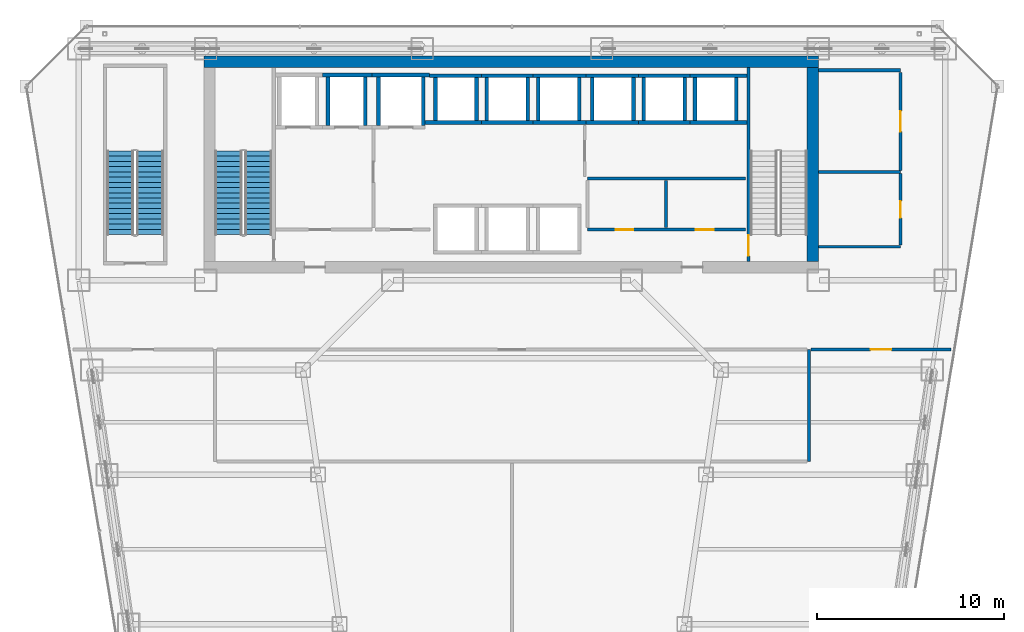
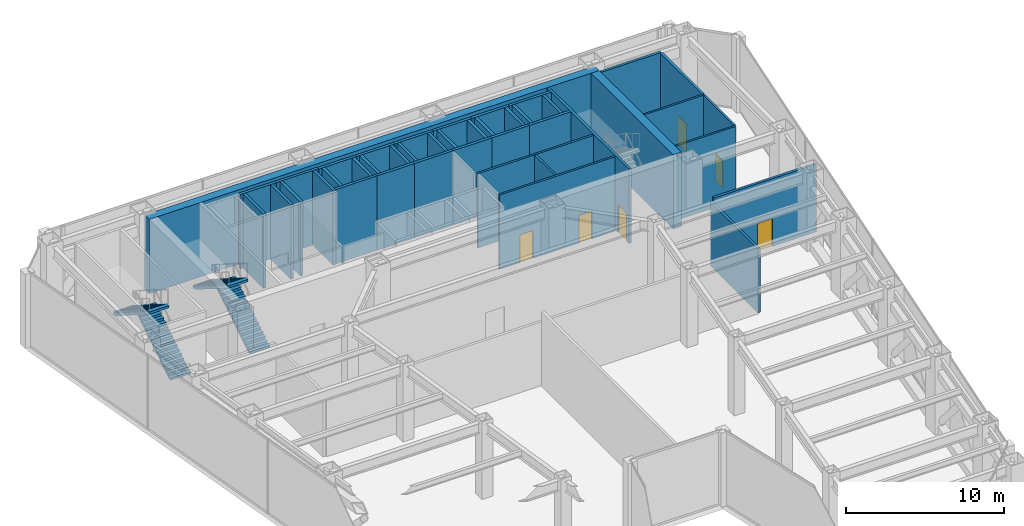
# One storey, part 31 of 35: 43 walls, 6 doors, 4 stair flights, 6 openings, 2 elements without a shape of their own.
"""IFC4 building model written with IfcOpenShell, lengths in metres."""

from ifc_helpers import new_model, si_unit, direction, frame, frame_2d, origin, place, context, subcontext, project, spatial, polyline, rectangle, outline, extrude, material, layer, layer_set, type_object, element, fill, aggregate, save


model = new_model("IFC4")

# Units and contexts
model_context = context("Model", 3, precision=1e-05, world=origin(), true_north=direction((0.0, 1.0)))
body_context = subcontext(model_context, "Body", "Model", "MODEL_VIEW")
ifc_project = project(units=[si_unit("LENGTHUNIT", "METRE"), si_unit("AREAUNIT", "SQUARE_METRE"), si_unit("VOLUMEUNIT", "CUBIC_METRE"), si_unit("PLANEANGLEUNIT", "RADIAN"), si_unit("MASSUNIT", "GRAM", prefix="KILO")], contexts=[model_context])

# Site, building, storey
site_placement = place(None, origin())
site = spatial("IfcSite", under=ifc_project, at=site_placement, CompositionType="ELEMENT")
building_placement = place(site_placement, origin())
building = spatial("IfcBuilding", under=site, at=building_placement, Name="Saevonmaru Cultural Tower", CompositionType="ELEMENT")
storey_placement = place(building_placement, frame((0.0, 0.0, 86.800048828125)))
storey = spatial("IfcBuildingStorey", under=building, at=storey_placement, Name="L18", CompositionType="ELEMENT", Elevation=86.800048828125)

# Walls
ifc_material_1 = material(Name="Concrete C60/75", Category="concrete")
ifc_layer_1 = layer(ifc_material_1, 0.60009765625, Name="Concrete C60/75")
ifc_layer_set_1 = layer_set([ifc_layer_1], Name="Concrete C60/75")
wall_type_1 = type_object("IfcWallType", Name="WL-CORE-600", PredefinedType="SHEAR", material=ifc_layer_set_1)
wall_1_placement = place(storey_placement, frame((13.5, 54.10009765625, 0.0), z_axis=(0.0, 0.0, 1.0), x_axis=(1.0, 0.0, 0.0)))
element("IfcWall", 1, at=wall_1_placement, inside=storey, type_object=wall_type_1, Name="L18 Tower RC core shear wall N", PredefinedType="SHEAR", context=body_context, shape_type="SweptSolid", body=[
    extrude(rectangle(XDim=32.89990234375, YDim=0.60009765625, at=frame_2d((16.449951171875, 0.0))), origin(), (0.0, 0.0, 1.0), 5.75),
])
wall_2_placement = place(storey_placement, frame((46.10009765625, 43.39990234375, 0.0), z_axis=(0.0, 0.0, 1.0), x_axis=(0.0, 1.0, 0.0)))
element("IfcWall", 2, at=wall_2_placement, inside=storey, type_object=wall_type_1, Name="L18 Tower RC core shear wall E", PredefinedType="SHEAR", context=body_context, shape_type="SweptSolid", body=[
    extrude(rectangle(XDim=10.400146484375, YDim=0.60009765625, at=frame_2d((5.2001953125, 0.0))), origin(), (0.0, 0.0, 1.0), 5.75),
])

# Wall, openings, doors
ifc_material_2 = material(Name="Gypsum Fireboard Partition", Category="gypsum")
ifc_layer_2 = layer(ifc_material_2, 0.14990234375, Name="Gypsum Fireboard Partition")
ifc_layer_set_2 = layer_set([ifc_layer_2], Name="Gypsum Fireboard Partition")
wall_type_2 = type_object("IfcWallType", Name="WL-CORE-PART-150", PredefinedType="PARTITIONING", material=ifc_layer_set_2)
wall_3_placement = place(storey_placement, frame((34.050048828125, 45.1201171875, 0.0), z_axis=(0.0, 0.0, 1.0), x_axis=(1.0, 0.0, 0.0)))
wall_3 = element("IfcWall", 3, at=wall_3_placement, inside=storey, type_object=wall_type_2, Name="L18 Core Plant South Wall", PredefinedType="PARTITIONING", context=body_context, shape_type="SweptSolid", body=[
    extrude(rectangle(XDim=8.449951171875, YDim=0.14990234375, at=frame_2d((4.22509765625, 0.0))), origin(), (0.0, 0.0, 1.0), 5.75),
])
opening_1_placement = place(wall_3_placement, frame((1.5, 0.0, 0.0)))
opening_1 = element("IfcOpeningElement", 4, at=opening_1_placement, cuts=wall_3, Name="Opening FD-4", PredefinedType="OPENING", context=body_context, shape_type="SweptSolid", body=[
    extrude(rectangle(XDim=0.949951171875, YDim=2.14990234375, at=frame_2d((0.47509765625, 1.074951171875))), frame((0.0, 0.0849609375, 0.0), z_axis=(0.0, -1.0, 0.0), x_axis=(1.0, 0.0, 0.0)), (0.0, 0.0, 1.0), 0.169921875),
])
opening_2_placement = place(wall_3_placement, frame((5.800048828125, 0.0, 0.0)))
opening_2 = element("IfcOpeningElement", 5, at=opening_2_placement, cuts=wall_3, Name="Opening FD-4", PredefinedType="OPENING", context=body_context, shape_type="SweptSolid", body=[
    extrude(rectangle(XDim=0.949951171875, YDim=2.14990234375, at=frame_2d((0.47509765625, 1.074951171875))), frame((0.0, 0.0849609375, 0.0), z_axis=(0.0, -1.0, 0.0), x_axis=(1.0, 0.0, 0.0)), (0.0, 0.0, 1.0), 0.169921875),
])
ifc_material_3 = material(Name="Satin Bronze Anodised Aluminium", Category="aluminium")
door_type_1 = type_object("IfcDoorType", Name="DR-FD60-950", OperationType="SINGLE_SWING_LEFT", PredefinedType="DOOR", material=ifc_material_3)
door_1_placement = place(opening_1_placement, origin())
door_1 = element("IfcDoor", 6, at=door_1_placement, inside=storey, type_object=door_type_1, Name="L18 Floor AHU Plant Door", OperationType="SINGLE_SWING_LEFT", OverallHeight=2.14990234375, OverallWidth=0.949951171875, PredefinedType="DOOR", context=body_context, shape_type="SweptSolid", body=[
    extrude(rectangle(XDim=0.949951171875, YDim=2.14990234375, at=frame_2d((0.47509765625, 1.074951171875))), frame((0.0, 0.02490234375, 0.0), z_axis=(0.0, -1.0, 0.0), x_axis=(1.0, 0.0, 0.0)), (0.0, 0.0, 1.0), 0.050048828125),
])
fill(opening_1, door_1)
door_2_placement = place(opening_2_placement, origin())
door_2 = element("IfcDoor", 7, at=door_2_placement, inside=storey, type_object=door_type_1, Name="L18 Housekeeping Storage Door", OperationType="SINGLE_SWING_LEFT", OverallHeight=2.14990234375, OverallWidth=0.949951171875, PredefinedType="DOOR", context=body_context, shape_type="SweptSolid", body=[
    extrude(rectangle(XDim=0.949951171875, YDim=2.14990234375, at=frame_2d((0.47509765625, 1.074951171875))), frame((0.0, 0.02490234375, 0.0), z_axis=(0.0, -1.0, 0.0), x_axis=(1.0, 0.0, 0.0)), (0.0, 0.0, 1.0), 0.050048828125),
])
fill(opening_2, door_2)

# Walls
wall_4_placement = place(storey_placement, frame((34.050048828125, 47.85009765625, 0.0), z_axis=(0.0, 0.0, 1.0), x_axis=(1.0, 0.0, 0.0)))
element("IfcWall", 8, at=wall_4_placement, inside=storey, type_object=wall_type_2, Name="L18 Core Plant North Wall", PredefinedType="PARTITIONING", context=body_context, shape_type="SweptSolid", body=[
    extrude(rectangle(XDim=8.449951171875, YDim=0.14990234375, at=frame_2d((4.22509765625, 0.0))), origin(), (0.0, 0.0, 1.0), 5.75),
])
wall_5_placement = place(storey_placement, frame((38.25, 45.219970703125, 0.0), z_axis=(0.0, 0.0, 1.0), x_axis=(0.0, 1.0, 0.0)))
element("IfcWall", 9, at=wall_5_placement, inside=storey, type_object=wall_type_2, Name="L18 Core Plant Split", PredefinedType="PARTITIONING", context=body_context, shape_type="SweptSolid", body=[
    extrude(rectangle(XDim=2.530029296875, YDim=0.14990234375, at=frame_2d((1.26513671875, 0.0))), origin(), (0.0, 0.0, 1.0), 5.75),
])
ifc_layer_3 = layer(ifc_material_2, 0.179931640625, Name="Gypsum Fireboard Partition")
ifc_layer_set_3 = layer_set([ifc_layer_3], Name="Gypsum Fireboard Partition")
wall_type_3 = type_object("IfcWallType", Name="WL-PART-PLANT-180", PredefinedType="PARTITIONING", material=ifc_layer_set_3)
wall_6_placement = place(storey_placement, frame((46.419921875, 53.64990234375, 0.0), z_axis=(0.0, 0.0, 1.0), x_axis=(1.0, 0.0, 0.0)))
element("IfcWall", 10, at=wall_6_placement, inside=storey, type_object=wall_type_3, Name="L18 East Refuge North Wall", PredefinedType="PARTITIONING", context=body_context, shape_type="SweptSolid", body=[
    extrude(rectangle(XDim=4.380126953125, YDim=0.179931640625, at=frame_2d((2.18994140625, 0.0))), origin(), (0.0, 0.0, 1.0), 5.75),
])

# Wall, opening, door
wall_7_placement = place(storey_placement, frame((50.800048828125, 48.2900390625, 0.0), z_axis=(0.0, 0.0, 1.0), x_axis=(0.0, 1.0, 0.0)))
wall_7 = element("IfcWall", 11, at=wall_7_placement, inside=storey, type_object=wall_type_3, Name="L18 East Refuge Door Wall", PredefinedType="PARTITIONING", context=body_context, shape_type="SweptSolid", body=[
    extrude(rectangle(XDim=5.25, YDim=0.179931640625, at=frame_2d((2.625, 0.0))), origin(), (0.0, 0.0, 1.0), 5.75),
])
opening_3_placement = place(wall_7_placement, frame((2.074951171875, 0.0, 0.0)))
opening_3 = element("IfcOpeningElement", 12, at=opening_3_placement, cuts=wall_7, Name="Opening FD-2", PredefinedType="OPENING", context=body_context, shape_type="SweptSolid", body=[
    extrude(rectangle(XDim=1.10009765625, YDim=2.14990234375, at=frame_2d((0.550048828125, 1.074951171875))), frame((0.0, 0.10009765625, 0.0), z_axis=(0.0, -1.0, 0.0), x_axis=(1.0, 0.0, 0.0)), (0.0, 0.0, 1.0), 0.199951171875),
])
door_type_2 = type_object("IfcDoorType", Name="DR-FD60-1100", OperationType="SINGLE_SWING_LEFT", PredefinedType="DOOR", material=ifc_material_3)
door_3_placement = place(opening_3_placement, origin())
door_3 = element("IfcDoor", 13, at=door_3_placement, inside=storey, type_object=door_type_2, Name="L18 East Refuge Area Fire Door", OperationType="SINGLE_SWING_LEFT", OverallHeight=2.14990234375, OverallWidth=1.10009765625, PredefinedType="DOOR", context=body_context, shape_type="SweptSolid", body=[
    extrude(rectangle(XDim=1.10009765625, YDim=2.14990234375, at=frame_2d((0.550048828125, 1.074951171875))), frame((0.0, 0.02490234375, 0.0), z_axis=(0.0, -1.0, 0.0), x_axis=(1.0, 0.0, 0.0)), (0.0, 0.0, 1.0), 0.050048828125),
])
fill(opening_3, door_3)

# Wall
wall_8_placement = place(storey_placement, frame((45.89990234375, 32.699951171875, 0.0), z_axis=(0.0, 0.0, 1.0), x_axis=(0.0, 1.0, 0.0)))
element("IfcWall", 14, at=wall_8_placement, inside=storey, type_object=wall_type_3, Name="L18 Main Refuge East Wall", PredefinedType="PARTITIONING", context=body_context, shape_type="SweptSolid", body=[
    extrude(rectangle(XDim=6.0, YDim=0.179931640625, at=frame_2d((3.0, 0.0))), origin(), (0.0, 0.0, 1.0), 4.93505859375),
])

# Wall, opening, door
wall_9_placement = place(storey_placement, frame((46.010009765625, 38.699951171875, 0.0), z_axis=(0.0, 0.0, 1.0), x_axis=(1.0, 0.0, 0.0)))
wall_9 = element("IfcWall", 15, at=wall_9_placement, inside=storey, type_object=wall_type_3, Name="L18 East Pump Plant North Wall", PredefinedType="PARTITIONING", context=body_context, shape_type="SweptSolid", body=[
    extrude(rectangle(XDim=7.4912109375, YDim=0.179931640625, at=frame_2d((3.74560546875, 0.0))), origin(), (0.0, 0.0, 1.0), 5.23486328125),
])
opening_4_placement = place(wall_9_placement, frame((3.196044921875, 0.0, 0.0)))
opening_4 = element("IfcOpeningElement", 16, at=opening_4_placement, cuts=wall_9, Name="Opening FD-2", PredefinedType="OPENING", context=body_context, shape_type="SweptSolid", body=[
    extrude(rectangle(XDim=1.10009765625, YDim=2.14990234375, at=frame_2d((0.550048828125, 1.074951171875))), frame((0.0, 0.10009765625, 0.0), z_axis=(0.0, -1.0, 0.0), x_axis=(1.0, 0.0, 0.0)), (0.0, 0.0, 1.0), 0.199951171875),
])
door_4_placement = place(opening_4_placement, origin())
door_4 = element("IfcDoor", 17, at=door_4_placement, inside=storey, type_object=door_type_2, Name="L18 Fire Pump Plant Door", OperationType="SINGLE_SWING_RIGHT", OverallHeight=2.14990234375, OverallWidth=1.10009765625, PredefinedType="DOOR", context=body_context, shape_type="SweptSolid", body=[
    extrude(rectangle(XDim=1.10009765625, YDim=2.14990234375, at=frame_2d((0.550048828125, 1.074951171875))), frame((0.0, 0.02490234375, 0.0), z_axis=(0.0, -1.0, 0.0), x_axis=(1.0, 0.0, 0.0)), (0.0, 0.0, 1.0), 0.050048828125),
])
fill(opening_4, door_4)

# Walls
ifc_layer_4 = layer(ifc_material_2, 0.139892578125, Name="Gypsum Fireboard Partition")
ifc_layer_set_4 = layer_set([ifc_layer_4], Name="Gypsum Fireboard Partition")
wall_type_4 = type_object("IfcWallType", Name="WL-PART-WET-140", PredefinedType="PARTITIONING", material=ifc_layer_set_4)
for number, where, z_axis, x_axis, name in (
    (18, (46.419921875, 44.199951171875, 0.0), (0.0, 0.0, 1.0), (1.0, 0.0, 0.0), "L18 Refuge Washroom South Wall"),
    (19, (46.419921875, 48.199951171875, 0.0), (0.0, 0.0, 1.0), (1.0, 0.0, 0.0), "L18 Refuge Washroom North Wall"),
):
    element("IfcWall", number, at=place(storey_placement, frame(where, z_axis=z_axis, x_axis=x_axis)), inside=storey, type_object=wall_type_4, Name=name, PredefinedType="PARTITIONING", context=body_context, shape_type="SweptSolid", body=[
        extrude(rectangle(XDim=4.380126953125, YDim=0.139892578125, at=frame_2d((2.18994140625, 0.0))), origin(), (0.0, 0.0, 1.0), 5.75),
    ])

# Wall, opening, door
wall_10_placement = place(storey_placement, frame((50.800048828125, 44.2900390625, 0.0), z_axis=(0.0, 0.0, 1.0), x_axis=(0.0, 1.0, 0.0)))
wall_10 = element("IfcWall", 20, at=wall_10_placement, inside=storey, type_object=wall_type_4, Name="L18 Refuge Washroom Door Wall", PredefinedType="PARTITIONING", context=body_context, shape_type="SweptSolid", body=[
    extrude(rectangle(XDim=3.820068359375, YDim=0.139892578125, at=frame_2d((1.91015625, 0.0))), origin(), (0.0, 0.0, 1.0), 5.75),
])
opening_5_placement = place(wall_10_placement, frame((1.4599609375, 0.0, 0.0)))
opening_5 = element("IfcOpeningElement", 21, at=opening_5_placement, cuts=wall_10, Name="Opening ID-2", PredefinedType="OPENING", context=body_context, shape_type="SweptSolid", body=[
    extrude(rectangle(XDim=0.89990234375, YDim=2.10009765625, at=frame_2d((0.449951171875, 1.050048828125))), frame((0.0, 0.080078125, 0.0), z_axis=(0.0, -1.0, 0.0), x_axis=(1.0, 0.0, 0.0)), (0.0, 0.0, 1.0), 0.159912109375),
])
ifc_material_4 = material(Name="Acoustic Stained Oak Timber", Category="wood")
door_type_3 = type_object("IfcDoorType", Name="DR-INT-900", OperationType="SINGLE_SWING_RIGHT", PredefinedType="DOOR", material=ifc_material_4)
door_5_placement = place(opening_5_placement, origin())
door_5 = element("IfcDoor", 22, at=door_5_placement, inside=storey, type_object=door_type_3, Name="L18 Refuge Accessible Washroom Door", OperationType="SINGLE_SWING_RIGHT", OverallHeight=2.10009765625, OverallWidth=0.89990234375, PredefinedType="DOOR", context=body_context, shape_type="SweptSolid", body=[
    extrude(rectangle(XDim=0.89990234375, YDim=2.10009765625, at=frame_2d((0.449951171875, 1.050048828125))), frame((0.0, 0.02490234375, 0.0), z_axis=(0.0, -1.0, 0.0), x_axis=(1.0, 0.0, 0.0)), (0.0, 0.0, 1.0), 0.050048828125),
])
fill(opening_5, door_5)

# Walls
ifc_material_5 = material(Name="Concrete C40/50", Category="concrete")
ifc_layer_5 = layer(ifc_material_5, 0.199951171875, Name="Concrete C40/50")
ifc_layer_set_5 = layer_set([ifc_layer_5], Name="Concrete C40/50")
wall_type_5 = type_object("IfcWallType", Name="WL-SHAFT-200", PredefinedType="SHEAR", material=ifc_layer_set_5)
wall_11_placement = place(storey_placement, frame((19.85009765625, 53.39990234375, 0.0), z_axis=(0.0, 0.0, 1.0), x_axis=(1.0, 0.0, 0.0)))
element("IfcWall", 23, at=wall_11_placement, inside=storey, type_object=wall_type_5, Name="L18 Lift FFL-2 Hoistway Wall N", PredefinedType="SHEAR", context=body_context, shape_type="SweptSolid", body=[
    extrude(rectangle(XDim=2.64990234375, YDim=0.199951171875, at=frame_2d((1.324951171875, 0.0))), origin(), (0.0, 0.0, 1.0), 5.75),
])
for number, where, z_axis, x_axis, name in (
    (24, (20.14990234375, 50.699951171875, 0.0), (0.0, 0.0, 1.0), (0.0, 1.0, 0.0), "L18 Lift FFL-2 Hoistway Wall W"),
    (25, (22.14990234375, 50.699951171875, 0.0), (0.0, 0.0, 1.0), (0.0, 1.0, 0.0), "L18 Lift FFL-2 Hoistway Wall E"),
):
    element("IfcWall", number, at=place(storey_placement, frame(where, z_axis=z_axis, x_axis=x_axis)), inside=storey, type_object=wall_type_5, Name=name, PredefinedType="SHEAR", context=body_context, shape_type="SweptSolid", body=[
        extrude(rectangle(XDim=2.60009765625, YDim=0.199951171875, at=frame_2d((1.300048828125, 0.0))), origin(), (0.0, 0.0, 1.0), 5.75),
    ])
wall_12_placement = place(storey_placement, frame((22.5, 53.39990234375, 0.0), z_axis=(0.0, 0.0, 1.0), x_axis=(1.0, 0.0, 0.0)))
element("IfcWall", 26, at=wall_12_placement, inside=storey, type_object=wall_type_5, Name="L18 Lift GL-1 Hoistway Wall N", PredefinedType="SHEAR", context=body_context, shape_type="SweptSolid", body=[
    extrude(rectangle(XDim=3.074951171875, YDim=0.199951171875, at=frame_2d((1.53759765625, 0.0))), origin(), (0.0, 0.0, 1.0), 5.75),
])
for number, where, z_axis, x_axis, name in (
    (27, (22.85009765625, 50.699951171875, 0.0), (0.0, 0.0, 1.0), (0.0, 1.0, 0.0), "L18 Lift GL-1 Hoistway Wall W"),
    (28, (25.25, 50.699951171875, 0.0), (0.0, 0.0, 1.0), (0.0, 1.0, 0.0), "L18 Lift GL-1 Hoistway Wall E"),
):
    element("IfcWall", number, at=place(storey_placement, frame(where, z_axis=z_axis, x_axis=x_axis)), inside=storey, type_object=wall_type_5, Name=name, PredefinedType="SHEAR", context=body_context, shape_type="SweptSolid", body=[
        extrude(rectangle(XDim=2.60009765625, YDim=0.199951171875, at=frame_2d((1.300048828125, 0.0))), origin(), (0.0, 0.0, 1.0), 5.75),
    ])
wall_13_placement = place(storey_placement, frame((25.35009765625, 50.85009765625, 0.0), z_axis=(0.0, 0.0, 1.0), x_axis=(1.0, 0.0, 0.0)))
element("IfcWall", 29, at=wall_13_placement, inside=storey, type_object=wall_type_5, Name="L18 Lift PL-L1 Hoistway Wall S", PredefinedType="SHEAR", context=body_context, shape_type="SweptSolid", body=[
    extrude(rectangle(XDim=3.02490234375, YDim=0.199951171875, at=frame_2d((1.512451171875, 0.0))), origin(), (0.0, 0.0, 1.0), 5.75),
])
wall_14_placement = place(storey_placement, frame((25.574951171875, 53.35009765625, 0.0), z_axis=(0.0, 0.0, 1.0), x_axis=(1.0, 0.0, 0.0)))
element("IfcWall", 30, at=wall_14_placement, inside=storey, type_object=wall_type_5, Name="L18 Lift PL-L1 Hoistway Wall N", PredefinedType="SHEAR", context=body_context, shape_type="SweptSolid", body=[
    extrude(rectangle(XDim=2.800048828125, YDim=0.199951171875, at=frame_2d((1.39990234375, 0.0))), origin(), (0.0, 0.0, 1.0), 5.75),
])
for number, where, z_axis, x_axis, name in (
    (31, (25.89990234375, 50.949951171875, 0.0), (0.0, 0.0, 1.0), (0.0, 1.0, 0.0), "L18 Lift PL-L1 Hoistway Wall W"),
    (32, (28.10009765625, 50.949951171875, 0.0), (0.0, 0.0, 1.0), (0.0, 1.0, 0.0), "L18 Lift PL-L1 Hoistway Wall E"),
):
    element("IfcWall", number, at=place(storey_placement, frame(where, z_axis=z_axis, x_axis=x_axis)), inside=storey, type_object=wall_type_5, Name=name, PredefinedType="SHEAR", context=body_context, shape_type="SweptSolid", body=[
        extrude(rectangle(XDim=2.300048828125, YDim=0.199951171875, at=frame_2d((1.14990234375, 0.0))), origin(), (0.0, 0.0, 1.0), 5.75),
    ])
for number, where, z_axis, x_axis, name in (
    (33, (28.375, 50.85009765625, 0.0), (0.0, 0.0, 1.0), (1.0, 0.0, 0.0), "L18 Lift PL-L2 Hoistway Wall S"),
    (34, (28.375, 53.35009765625, 0.0), (0.0, 0.0, 1.0), (1.0, 0.0, 0.0), "L18 Lift PL-L2 Hoistway Wall N"),
):
    element("IfcWall", number, at=place(storey_placement, frame(where, z_axis=z_axis, x_axis=x_axis)), inside=storey, type_object=wall_type_5, Name=name, PredefinedType="SHEAR", context=body_context, shape_type="SweptSolid", body=[
        extrude(rectangle(XDim=2.75, YDim=0.199951171875, at=frame_2d((1.375, 0.0))), origin(), (0.0, 0.0, 1.0), 5.75),
    ])
for number, where, z_axis, x_axis, name in (
    (35, (28.64990234375, 50.949951171875, 0.0), (0.0, 0.0, 1.0), (0.0, 1.0, 0.0), "L18 Lift PL-L2 Hoistway Wall W"),
    (36, (30.85009765625, 50.949951171875, 0.0), (0.0, 0.0, 1.0), (0.0, 1.0, 0.0), "L18 Lift PL-L2 Hoistway Wall E"),
):
    element("IfcWall", number, at=place(storey_placement, frame(where, z_axis=z_axis, x_axis=x_axis)), inside=storey, type_object=wall_type_5, Name=name, PredefinedType="SHEAR", context=body_context, shape_type="SweptSolid", body=[
        extrude(rectangle(XDim=2.300048828125, YDim=0.199951171875, at=frame_2d((1.14990234375, 0.0))), origin(), (0.0, 0.0, 1.0), 5.75),
    ])
for number, where, z_axis, x_axis, name in (
    (37, (31.125, 50.85009765625, 0.0), (0.0, 0.0, 1.0), (1.0, 0.0, 0.0), "L18 Lift PL-L3 Hoistway Wall S"),
    (38, (31.125, 53.35009765625, 0.0), (0.0, 0.0, 1.0), (1.0, 0.0, 0.0), "L18 Lift PL-L3 Hoistway Wall N"),
):
    element("IfcWall", number, at=place(storey_placement, frame(where, z_axis=z_axis, x_axis=x_axis)), inside=storey, type_object=wall_type_5, Name=name, PredefinedType="SHEAR", context=body_context, shape_type="SweptSolid", body=[
        extrude(rectangle(XDim=2.824951171875, YDim=0.199951171875, at=frame_2d((1.41259765625, 0.0))), origin(), (0.0, 0.0, 1.0), 5.75),
    ])
for number, where, z_axis, x_axis, name in (
    (39, (31.39990234375, 50.949951171875, 0.0), (0.0, 0.0, 1.0), (0.0, 1.0, 0.0), "L18 Lift PL-L3 Hoistway Wall W"),
    (40, (33.60009765625, 50.949951171875, 0.0), (0.0, 0.0, 1.0), (0.0, 1.0, 0.0), "L18 Lift PL-L3 Hoistway Wall E"),
):
    element("IfcWall", number, at=place(storey_placement, frame(where, z_axis=z_axis, x_axis=x_axis)), inside=storey, type_object=wall_type_5, Name=name, PredefinedType="SHEAR", context=body_context, shape_type="SweptSolid", body=[
        extrude(rectangle(XDim=2.300048828125, YDim=0.199951171875, at=frame_2d((1.14990234375, 0.0))), origin(), (0.0, 0.0, 1.0), 5.75),
    ])
for number, where, z_axis, x_axis, name in (
    (41, (33.949951171875, 50.85009765625, 0.0), (0.0, 0.0, 1.0), (1.0, 0.0, 0.0), "L18 Lift PL-H1 Hoistway Wall S"),
    (42, (33.949951171875, 53.35009765625, 0.0), (0.0, 0.0, 1.0), (1.0, 0.0, 0.0), "L18 Lift PL-H1 Hoistway Wall N"),
):
    element("IfcWall", number, at=place(storey_placement, frame(where, z_axis=z_axis, x_axis=x_axis)), inside=storey, type_object=wall_type_5, Name=name, PredefinedType="SHEAR", context=body_context, shape_type="SweptSolid", body=[
        extrude(rectangle(XDim=2.824951171875, YDim=0.199951171875, at=frame_2d((1.41259765625, 0.0))), origin(), (0.0, 0.0, 1.0), 5.75),
    ])
for number, where, z_axis, x_axis, name in (
    (43, (34.300048828125, 50.949951171875, 0.0), (0.0, 0.0, 1.0), (0.0, 1.0, 0.0), "L18 Lift PL-H1 Hoistway Wall W"),
    (44, (36.5, 50.949951171875, 0.0), (0.0, 0.0, 1.0), (0.0, 1.0, 0.0), "L18 Lift PL-H1 Hoistway Wall E"),
):
    element("IfcWall", number, at=place(storey_placement, frame(where, z_axis=z_axis, x_axis=x_axis)), inside=storey, type_object=wall_type_5, Name=name, PredefinedType="SHEAR", context=body_context, shape_type="SweptSolid", body=[
        extrude(rectangle(XDim=2.300048828125, YDim=0.199951171875, at=frame_2d((1.14990234375, 0.0))), origin(), (0.0, 0.0, 1.0), 5.75),
    ])
for number, where, z_axis, x_axis, name in (
    (45, (36.77490234375, 50.85009765625, 0.0), (0.0, 0.0, 1.0), (1.0, 0.0, 0.0), "L18 Lift PL-H2 Hoistway Wall S"),
    (46, (36.77490234375, 53.35009765625, 0.0), (0.0, 0.0, 1.0), (1.0, 0.0, 0.0), "L18 Lift PL-H2 Hoistway Wall N"),
):
    element("IfcWall", number, at=place(storey_placement, frame(where, z_axis=z_axis, x_axis=x_axis)), inside=storey, type_object=wall_type_5, Name=name, PredefinedType="SHEAR", context=body_context, shape_type="SweptSolid", body=[
        extrude(rectangle(XDim=2.75, YDim=0.199951171875, at=frame_2d((1.375, 0.0))), origin(), (0.0, 0.0, 1.0), 5.75),
    ])
for number, where, z_axis, x_axis, name in (
    (47, (37.050048828125, 50.949951171875, 0.0), (0.0, 0.0, 1.0), (0.0, 1.0, 0.0), "L18 Lift PL-H2 Hoistway Wall W"),
    (48, (39.25, 50.949951171875, 0.0), (0.0, 0.0, 1.0), (0.0, 1.0, 0.0), "L18 Lift PL-H2 Hoistway Wall E"),
):
    element("IfcWall", number, at=place(storey_placement, frame(where, z_axis=z_axis, x_axis=x_axis)), inside=storey, type_object=wall_type_5, Name=name, PredefinedType="SHEAR", context=body_context, shape_type="SweptSolid", body=[
        extrude(rectangle(XDim=2.300048828125, YDim=0.199951171875, at=frame_2d((1.14990234375, 0.0))), origin(), (0.0, 0.0, 1.0), 5.75),
    ])
for number, where, z_axis, x_axis, name in (
    (49, (39.52490234375, 50.85009765625, 0.0), (0.0, 0.0, 1.0), (1.0, 0.0, 0.0), "L18 Lift PL-H3 Hoistway Wall S"),
    (50, (39.52490234375, 53.35009765625, 0.0), (0.0, 0.0, 1.0), (1.0, 0.0, 0.0), "L18 Lift PL-H3 Hoistway Wall N"),
):
    element("IfcWall", number, at=place(storey_placement, frame(where, z_axis=z_axis, x_axis=x_axis)), inside=storey, type_object=wall_type_5, Name=name, PredefinedType="SHEAR", context=body_context, shape_type="SweptSolid", body=[
        extrude(rectangle(XDim=3.045166015625, YDim=0.199951171875, at=frame_2d((1.5224609375, 0.0))), origin(), (0.0, 0.0, 1.0), 5.75),
    ])
for number, where, z_axis, x_axis, name in (
    (51, (39.800048828125, 50.949951171875, 0.0), (0.0, 0.0, 1.0), (0.0, 1.0, 0.0), "L18 Lift PL-H3 Hoistway Wall W"),
    (52, (42.0, 50.949951171875, 0.0), (0.0, 0.0, 1.0), (0.0, 1.0, 0.0), "L18 Lift PL-H3 Hoistway Wall E"),
):
    element("IfcWall", number, at=place(storey_placement, frame(where, z_axis=z_axis, x_axis=x_axis)), inside=storey, type_object=wall_type_5, Name=name, PredefinedType="SHEAR", context=body_context, shape_type="SweptSolid", body=[
        extrude(rectangle(XDim=2.300048828125, YDim=0.199951171875, at=frame_2d((1.14990234375, 0.0))), origin(), (0.0, 0.0, 1.0), 5.75),
    ])

# Wall, opening, door
ifc_layer_6 = layer(ifc_material_5, 0.179931640625, Name="Concrete C40/50")
ifc_layer_set_6 = layer_set([ifc_layer_6], Name="Concrete C40/50")
wall_type_6 = type_object("IfcWallType", Name="WL-STSHAFT-180", PredefinedType="SHEAR", material=ifc_layer_set_6)
wall_15_placement = place(storey_placement, frame((42.659912109375, 53.800048828125, 0.0), z_axis=(0.0, 0.0, 1.0), x_axis=(0.0, -1.0, 0.0)))
wall_15 = element("IfcWall", 53, at=wall_15_placement, inside=storey, type_object=wall_type_6, Name="L18 Stair ST-2 Structural Shaft Wall 1", PredefinedType="SHEAR", context=body_context, shape_type="SweptSolid", body=[
    extrude(rectangle(XDim=10.400146484375, YDim=0.179931640625, at=frame_2d((5.2001953125, 0.0))), origin(), (0.0, 0.0, 1.0), 5.75),
])
opening_6_placement = place(wall_15_placement, frame((8.989990234375, 0.0, 0.0)))
opening_6 = element("IfcOpeningElement", 54, at=opening_6_placement, cuts=wall_15, Name="Opening FD-2", PredefinedType="OPENING", context=body_context, shape_type="SweptSolid", body=[
    extrude(rectangle(XDim=1.10009765625, YDim=2.14990234375, at=frame_2d((0.550048828125, 1.074951171875))), frame((0.0, 0.10009765625, 0.0), z_axis=(0.0, -1.0, 0.0), x_axis=(1.0, 0.0, 0.0)), (0.0, 0.0, 1.0), 0.199951171875),
])
door_6_placement = place(opening_6_placement, origin())
door_6 = element("IfcDoor", 55, at=door_6_placement, inside=storey, type_object=door_type_2, Name="L18 Protected Stair ST-2 Fire Door", OperationType="SINGLE_SWING_LEFT", OverallHeight=2.14990234375, OverallWidth=1.10009765625, PredefinedType="DOOR", context=body_context, shape_type="SweptSolid", body=[
    extrude(rectangle(XDim=1.10009765625, YDim=2.14990234375, at=frame_2d((0.550048828125, 1.074951171875))), frame((0.0, 0.02490234375, 0.0), z_axis=(0.0, -1.0, 0.0), x_axis=(1.0, 0.0, 0.0)), (0.0, 0.0, 1.0), 0.050048828125),
])
fill(opening_6, door_6)

# Stair, stair flights
stair_type = type_object("IfcStairType", Name="STR-DOGLEG-RC", PredefinedType="HALF_TURN_STAIR", material=ifc_material_5)
stair_1_placement = place(storey_placement, origin())
stair_1 = element("IfcStair", 56, at=stair_1_placement, inside=storey, type_object=stair_type, Name="L18 Protected exit stair ST-1", PredefinedType="HALF_TURN_STAIR")
ifc_material_6 = material(Name="Precast concrete C40/50", Category="concrete")
stair_flight_type = type_object("IfcStairFlightType", Name="STF-PRECAST-180", PredefinedType="STRAIGHT", material=ifc_material_6)
stair_flight_1_placement = place(storey_placement, frame((16.425048828125, 44.85009765625, 0.0), z_axis=(0.0, 0.0, 1.0), x_axis=(0.0, 1.0, 0.0)))
stair_flight_1 = element("IfcStairFlight", 57, at=stair_flight_1_placement, type_object=stair_flight_type, Name="ST-1-L18 flight 1", NumberOfRisers=17, NumberOfTreads=16, PredefinedType="STRAIGHT", RiserHeight=0.176470588, TreadLength=0.28, context=body_context, shape_type="SweptSolid", body=[
    extrude(outline(polyline([(0.0, 0.0), (0.0, 0.176513671875), (0.280029296875, 0.176513671875), (0.280029296875, 0.35302734375), (0.56005859375, 0.35302734375), (0.56005859375, 0.529296875), (0.840087890625, 0.529296875), (0.840087890625, 0.705810546875), (1.1201171875, 0.705810546875), (1.1201171875, 0.88232421875), (1.39990234375, 0.88232421875), (1.39990234375, 1.058837890625), (1.679931640625, 1.058837890625), (1.679931640625, 1.2353515625), (1.9599609375, 1.2353515625), (1.9599609375, 1.411865234375), (2.239990234375, 1.411865234375), (2.239990234375, 1.588134765625), (2.52001953125, 1.588134765625), (2.52001953125, 1.7646484375), (2.800048828125, 1.7646484375), (2.800048828125, 1.941162109375), (3.080078125, 1.941162109375), (3.080078125, 2.11767578125), (3.360107421875, 2.11767578125), (3.360107421875, 2.294189453125), (3.639892578125, 2.294189453125), (3.639892578125, 2.470703125), (3.919921875, 2.470703125), (3.919921875, 2.64697265625), (4.199951171875, 2.64697265625), (4.199951171875, 2.823486328125), (4.47998046875, 2.823486328125), (4.47998046875, 3.0), (4.47998046875, 2.646240234375), (0.28125, 0.0), (0.0, 0.0)])), frame((0.0, 0.72509765625, 0.0), z_axis=(0.0, -1.0, 0.0), x_axis=(1.0, 0.0, 0.0)), (0.0, 0.0, 1.0), 1.449951171875),
])
stair_flight_2_placement = place(storey_placement, frame((14.824951171875, 49.330078125, 3.0), z_axis=(0.0, 0.0, 1.0), x_axis=(0.0, -1.0, 0.0)))
stair_flight_2 = element("IfcStairFlight", 58, at=stair_flight_2_placement, type_object=stair_flight_type, Name="ST-1-L18 flight 2", NumberOfRisers=17, NumberOfTreads=16, PredefinedType="STRAIGHT", RiserHeight=0.176470588, TreadLength=0.28, context=body_context, shape_type="SweptSolid", body=[
    extrude(outline(polyline([(0.0, 0.0), (0.0, 0.176513671875), (0.280029296875, 0.176513671875), (0.280029296875, 0.35302734375), (0.56005859375, 0.35302734375), (0.56005859375, 0.529296875), (0.840087890625, 0.529296875), (0.840087890625, 0.705810546875), (1.1201171875, 0.705810546875), (1.1201171875, 0.88232421875), (1.39990234375, 0.88232421875), (1.39990234375, 1.058837890625), (1.679931640625, 1.058837890625), (1.679931640625, 1.2353515625), (1.9599609375, 1.2353515625), (1.9599609375, 1.411865234375), (2.239990234375, 1.411865234375), (2.239990234375, 1.588134765625), (2.52001953125, 1.588134765625), (2.52001953125, 1.7646484375), (2.800048828125, 1.7646484375), (2.800048828125, 1.941162109375), (3.080078125, 1.941162109375), (3.080078125, 2.11767578125), (3.360107421875, 2.11767578125), (3.360107421875, 2.294189453125), (3.639892578125, 2.294189453125), (3.639892578125, 2.470703125), (3.919921875, 2.470703125), (3.919921875, 2.64697265625), (4.199951171875, 2.64697265625), (4.199951171875, 2.823486328125), (4.47998046875, 2.823486328125), (4.47998046875, 3.0), (4.47998046875, 2.646240234375), (0.28125, 0.0), (0.0, 0.0)])), frame((0.0, 0.72509765625, 0.0), z_axis=(0.0, -1.0, 0.0), x_axis=(1.0, 0.0, 0.0)), (0.0, 0.0, 1.0), 1.449951171875),
])
aggregate(stair_1, [stair_flight_1, stair_flight_2])

stair_2_placement = place(storey_placement, origin())
stair_2 = element("IfcStair", 59, at=stair_2_placement, inside=storey, type_object=stair_type, Name="L18 Protected exit stair ST-3", PredefinedType="HALF_TURN_STAIR")
stair_flight_3_placement = place(storey_placement, frame((10.625, 44.85009765625, 0.0), z_axis=(0.0, 0.0, 1.0), x_axis=(0.0, 1.0, 0.0)))
stair_flight_3 = element("IfcStairFlight", 60, at=stair_flight_3_placement, type_object=stair_flight_type, Name="ST-3-L18 flight 1", NumberOfRisers=17, NumberOfTreads=16, PredefinedType="STRAIGHT", RiserHeight=0.176470588, TreadLength=0.28, context=body_context, shape_type="SweptSolid", body=[
    extrude(outline(polyline([(0.0, 0.0), (0.0, 0.176513671875), (0.280029296875, 0.176513671875), (0.280029296875, 0.35302734375), (0.56005859375, 0.35302734375), (0.56005859375, 0.529296875), (0.840087890625, 0.529296875), (0.840087890625, 0.705810546875), (1.1201171875, 0.705810546875), (1.1201171875, 0.88232421875), (1.39990234375, 0.88232421875), (1.39990234375, 1.058837890625), (1.679931640625, 1.058837890625), (1.679931640625, 1.2353515625), (1.9599609375, 1.2353515625), (1.9599609375, 1.411865234375), (2.239990234375, 1.411865234375), (2.239990234375, 1.588134765625), (2.52001953125, 1.588134765625), (2.52001953125, 1.7646484375), (2.800048828125, 1.7646484375), (2.800048828125, 1.941162109375), (3.080078125, 1.941162109375), (3.080078125, 2.11767578125), (3.360107421875, 2.11767578125), (3.360107421875, 2.294189453125), (3.639892578125, 2.294189453125), (3.639892578125, 2.470703125), (3.919921875, 2.470703125), (3.919921875, 2.64697265625), (4.199951171875, 2.64697265625), (4.199951171875, 2.823486328125), (4.47998046875, 2.823486328125), (4.47998046875, 3.0), (4.47998046875, 2.646240234375), (0.28125, 0.0), (0.0, 0.0)])), frame((0.0, 0.72509765625, 0.0), z_axis=(0.0, -1.0, 0.0), x_axis=(1.0, 0.0, 0.0)), (0.0, 0.0, 1.0), 1.449951171875),
])
stair_flight_4_placement = place(storey_placement, frame((9.02490234375, 49.330078125, 3.0), z_axis=(0.0, 0.0, 1.0), x_axis=(0.0, -1.0, 0.0)))
stair_flight_4 = element("IfcStairFlight", 61, at=stair_flight_4_placement, type_object=stair_flight_type, Name="ST-3-L18 flight 2", NumberOfRisers=17, NumberOfTreads=16, PredefinedType="STRAIGHT", RiserHeight=0.176470588, TreadLength=0.28, context=body_context, shape_type="SweptSolid", body=[
    extrude(outline(polyline([(0.0, 0.0), (0.0, 0.176513671875), (0.280029296875, 0.176513671875), (0.280029296875, 0.35302734375), (0.56005859375, 0.35302734375), (0.56005859375, 0.529296875), (0.840087890625, 0.529296875), (0.840087890625, 0.705810546875), (1.1201171875, 0.705810546875), (1.1201171875, 0.88232421875), (1.39990234375, 0.88232421875), (1.39990234375, 1.058837890625), (1.679931640625, 1.058837890625), (1.679931640625, 1.2353515625), (1.9599609375, 1.2353515625), (1.9599609375, 1.411865234375), (2.239990234375, 1.411865234375), (2.239990234375, 1.588134765625), (2.52001953125, 1.588134765625), (2.52001953125, 1.7646484375), (2.800048828125, 1.7646484375), (2.800048828125, 1.941162109375), (3.080078125, 1.941162109375), (3.080078125, 2.11767578125), (3.360107421875, 2.11767578125), (3.360107421875, 2.294189453125), (3.639892578125, 2.294189453125), (3.639892578125, 2.470703125), (3.919921875, 2.470703125), (3.919921875, 2.64697265625), (4.199951171875, 2.64697265625), (4.199951171875, 2.823486328125), (4.47998046875, 2.823486328125), (4.47998046875, 3.0), (4.47998046875, 2.646240234375), (0.28125, 0.0), (0.0, 0.0)])), frame((0.0, 0.72509765625, 0.0), z_axis=(0.0, -1.0, 0.0), x_axis=(1.0, 0.0, 0.0)), (0.0, 0.0, 1.0), 1.449951171875),
])
aggregate(stair_2, [stair_flight_3, stair_flight_4])

save(model, "model.ifc")
